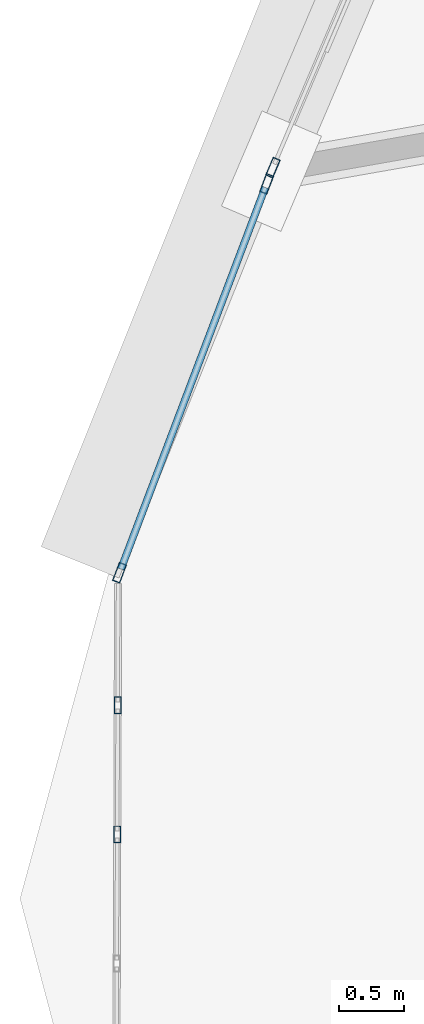
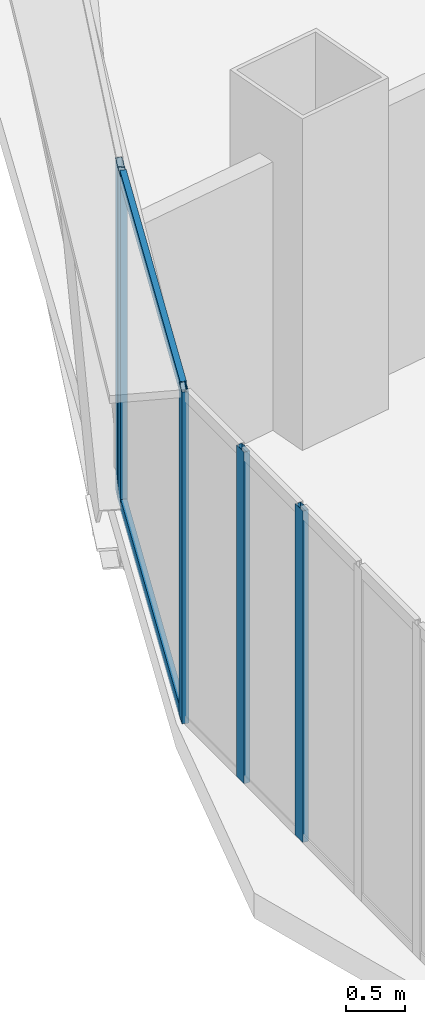
# One storey, part 4 of 42: 7 members, 3 elements without a shape of their own.
"""IFC4 building model written with IfcOpenShell, lengths in metres."""

from ifc_helpers import new_model, si_unit, direction, frame, origin, origin_2d, place, context, subcontext, project, spatial, hollow_rectangle, extrude, source, transform, mapped, material, layer, layer_set, material_profile, profile_set, type_object, element, aggregate, save


model = new_model("IFC4")

# Units and contexts
model_context = context("Model", 3, precision=1e-05, world=origin(), true_north=direction((0.0, 1.0)))
body_context = subcontext(model_context, "Body", "Model", "MODEL_VIEW")
ifc_project = project(units=[si_unit("LENGTHUNIT", "METRE"), si_unit("AREAUNIT", "SQUARE_METRE"), si_unit("VOLUMEUNIT", "CUBIC_METRE"), si_unit("PLANEANGLEUNIT", "RADIAN"), si_unit("MASSUNIT", "GRAM", prefix="KILO"), si_unit("THERMODYNAMICTEMPERATUREUNIT", "KELVIN"), si_unit("POWERUNIT", "WATT")], contexts=[model_context])

# Site, building, storey
site_placement = place(None, origin())
site = spatial("IfcSite", under=ifc_project, at=site_placement, CompositionType="ELEMENT")
building_placement = place(site_placement, origin())
building = spatial("IfcBuilding", under=site, at=building_placement, Name="Yunzhuo Pagoda Commons", CompositionType="ELEMENT")
storey_placement = place(building_placement, frame((0.0, 0.0, 129.830078125)))
storey = spatial("IfcBuildingStorey", under=building, at=storey_placement, Name="L32", CompositionType="ELEMENT", Elevation=129.830078125)

# Curtain wall, member
ifc_material = material(Name="Anodized aluminium 6063-T6", Category="aluminium")
ifc_layer_1 = layer(ifc_material, 0.14990234375)
ifc_layer_set_1 = layer_set([ifc_layer_1], Name="Anodized aluminium 6063-T6")
curtain_wall_type_1 = type_object("IfcCurtainWallType", Name="CW-MID Mid-Zone Ribbon Curtain Wall", PredefinedType="NOTDEFINED", material=ifc_layer_set_1)
curtain_wall_1_placement = place(storey_placement, origin())
curtain_wall_1 = element("IfcCurtainWall", 1, at=curtain_wall_1_placement, inside=storey, type_object=curtain_wall_type_1, Name="L32 curtain wall CW-L32-F3B4", PredefinedType="NOTDEFINED")
ifc_material_profile_1 = material_profile(ifc_material, hollow_rectangle(XDim=0.06005859375, YDim=0.14990234375, WallThickness=0.00390625, at=origin_2d()), Name="Anodized aluminium 6063-T6")
ifc_profile_set_1 = profile_set([ifc_material_profile_1], Name="Anodized aluminium 6063-T6")
member_type_1 = type_object("IfcMemberType", Name="CW-MID-M Mullion RHS 150x60x4", PredefinedType="MULLION", material=ifc_profile_set_1)
shared_shape_1 = source(origin(), body_context, "Body", "SweptSolid", [
    extrude(hollow_rectangle(XDim=0.06005859375, YDim=0.14990234375, WallThickness=0.00390625, at=origin_2d()), origin(), (0.0, 0.0, 1.0), 3.419921875),
])
member_1_placement = place(storey_placement, frame((8.9638671875, 26.84228515625, 0.0), z_axis=(0.0, 0.0, 1.0), x_axis=(0.919928137274, -0.392087008522, 0.0)))
member_1 = element("IfcMember", 2, at=member_1_placement, type_object=member_type_1, Name="CW mullion 2", PredefinedType="MULLION", context=body_context, shape_type="MappedRepresentation", body=[
    mapped(shared_shape_1, transform((0.0, 0.0, 0.0), scale=1.0)),
])
aggregate(curtain_wall_1, [member_1])

# Curtain wall, members
curtain_wall_2_placement = place(storey_placement, origin())
curtain_wall_2 = element("IfcCurtainWall", 3, at=curtain_wall_2_placement, inside=storey, type_object=curtain_wall_type_1, Name="L32 curtain wall CW-L32-F3B5", PredefinedType="NOTDEFINED")
member_2_placement = place(storey_placement, frame((8.9150390625, 26.716552734375, 0.0), z_axis=(0.0, 0.0, 1.0), x_axis=(0.935321752827, -0.353798274003, 0.0)))
member_2 = element("IfcMember", 4, at=member_2_placement, type_object=member_type_1, Name="CW mullion 1", PredefinedType="MULLION", context=body_context, shape_type="MappedRepresentation", body=[
    mapped(shared_shape_1, transform((0.0, 0.0, 0.0), scale=1.0)),
])
member_3_placement = place(storey_placement, frame((7.777099609375, 23.708740234375, 0.0), z_axis=(0.0, 0.0, 1.0), x_axis=(0.935321752827, -0.353798274003, 0.0)))
member_3 = element("IfcMember", 5, at=member_3_placement, type_object=member_type_1, Name="CW mullion 2", PredefinedType="MULLION", context=body_context, shape_type="MappedRepresentation", body=[
    mapped(shared_shape_1, transform((0.0, 0.0, 0.0), scale=1.0)),
])
ifc_material_profile_2 = material_profile(ifc_material, hollow_rectangle(XDim=0.054931640625, YDim=0.1298828125, WallThickness=0.00341796875, at=origin_2d()), Name="Anodized aluminium 6063-T6")
ifc_profile_set_2 = profile_set([ifc_material_profile_2], Name="Anodized aluminium 6063-T6")
member_type_2 = type_object("IfcMemberType", Name="CW-MID-T Transom RHS 130x55x3.5", PredefinedType="USERDEFINED", material=ifc_profile_set_2)
shared_shape_2 = source(origin(), body_context, "Body", "SweptSolid", [
    extrude(hollow_rectangle(XDim=0.054931640625, YDim=0.1298828125, WallThickness=0.00341796875, at=origin_2d()), origin(), (0.0, 0.0, 1.0), 3.15576171875),
])
member_4_placement = place(storey_placement, frame((8.904296875, 26.6884765625, 0.02734375), z_axis=(-0.353784181355, -0.935327083443, 0.0), x_axis=(0.935327083443, -0.353784181355, 0.0)))
member_4 = element("IfcMember", 6, at=member_4_placement, type_object=member_type_2, Name="CW transom 1.1", ObjectType="TRANSOM", PredefinedType="USERDEFINED", context=body_context, shape_type="MappedRepresentation", body=[
    mapped(shared_shape_2, transform((0.0, 0.0, 0.0), scale=1.0)),
])
member_5_placement = place(storey_placement, frame((8.904296875, 26.6884765625, 3.392333984375), z_axis=(-0.353784181355, -0.935327083443, 0.0), x_axis=(0.935327083443, -0.353784181355, 0.0)))
member_5 = element("IfcMember", 7, at=member_5_placement, type_object=member_type_2, Name="CW transom 1.2", ObjectType="TRANSOM", PredefinedType="USERDEFINED", context=body_context, shape_type="MappedRepresentation", body=[
    mapped(shared_shape_2, transform((0.0, 0.0, 0.0), scale=1.0)),
])
aggregate(curtain_wall_2, [member_2, member_3, member_4, member_5])

ifc_layer_2 = layer(ifc_material, 0.1298828125)
ifc_layer_set_2 = layer_set([ifc_layer_2], Name="Anodized aluminium 6063-T6")
curtain_wall_type_2 = type_object("IfcCurtainWallType", Name="CW-VTX Rounded Corner Curtain Wall", PredefinedType="NOTDEFINED", material=ifc_layer_set_2)
curtain_wall_3_placement = place(storey_placement, origin())
curtain_wall_3 = element("IfcCurtainWall", 8, at=curtain_wall_3_placement, inside=storey, type_object=curtain_wall_type_2, Name="L32 curtain wall CW-L32-VTX1S1", PredefinedType="NOTDEFINED")
ifc_material_profile_3 = material_profile(ifc_material, hollow_rectangle(XDim=0.054931640625, YDim=0.1298828125, WallThickness=0.00341796875, at=origin_2d()), Name="Anodized aluminium 6063-T6")
ifc_profile_set_3 = profile_set([ifc_material_profile_3], Name="Anodized aluminium 6063-T6")
member_type_3 = type_object("IfcMemberType", Name="CW-VTX-M Mullion RHS 130x55x3.5", PredefinedType="MULLION", material=ifc_profile_set_3)
shared_shape_3 = source(origin(), body_context, "Body", "SweptSolid", [
    extrude(hollow_rectangle(XDim=0.054931640625, YDim=0.1298828125, WallThickness=0.00341796875, at=origin_2d()), origin(), (0.0, 0.0, 1.0), 3.419921875),
])
member_6_placement = place(storey_placement, frame((7.76318359375, 22.6826171875, 0.0), z_axis=(0.0, 0.0, 1.0), x_axis=(0.999993568215, -0.003586576275, 0.0)))
member_6 = element("IfcMember", 9, at=member_6_placement, type_object=member_type_3, Name="CW mullion 2", PredefinedType="MULLION", context=body_context, shape_type="MappedRepresentation", body=[
    mapped(shared_shape_3, transform((0.0, 0.0, 0.0), scale=1.0)),
])
member_7_placement = place(storey_placement, frame((7.759765625, 21.684326171875, 0.0), z_axis=(0.0, 0.0, 1.0), x_axis=(0.999993568215, -0.003586576275, 0.0)))
member_7 = element("IfcMember", 10, at=member_7_placement, type_object=member_type_3, Name="CW mullion 3", PredefinedType="MULLION", context=body_context, shape_type="MappedRepresentation", body=[
    mapped(shared_shape_3, transform((0.0, 0.0, 0.0), scale=1.0)),
])
aggregate(curtain_wall_3, [member_6, member_7])

save(model, "model.ifc")
